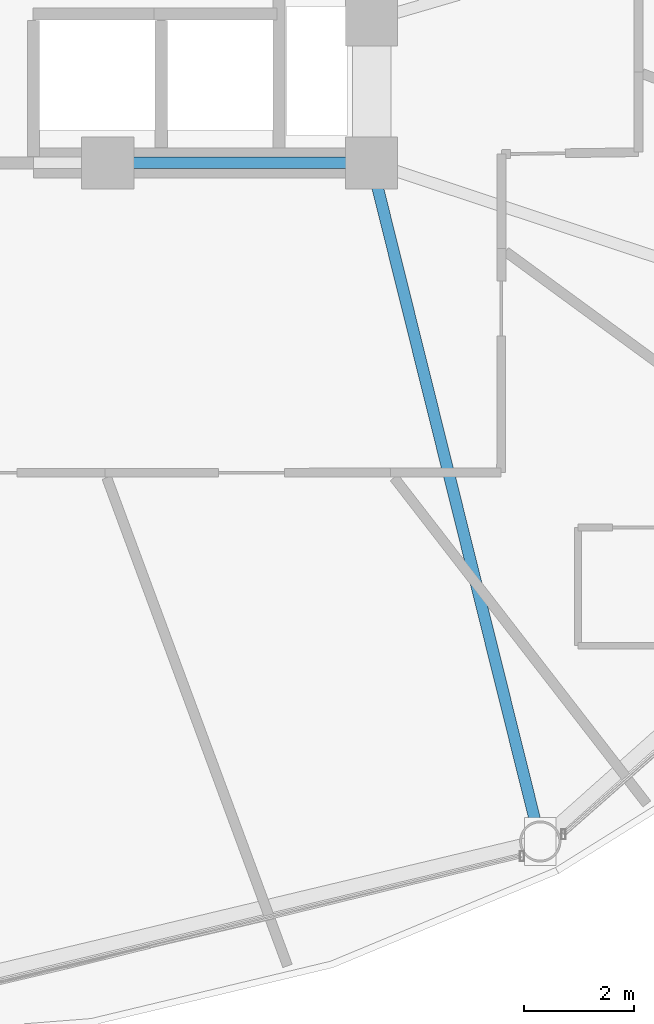
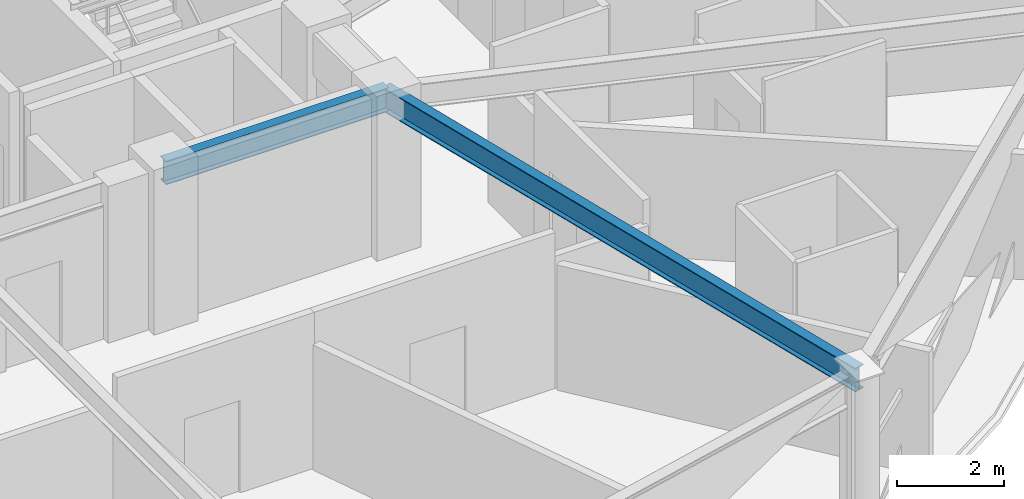
# One storey, part 10 of 31: 2 beams.
"""IFC4 building model written with IfcOpenShell, lengths in metres."""

from ifc_helpers import new_model, si_unit, direction, frame, origin, origin_2d, place, context, subcontext, project, spatial, i_section, extrude, material, material_profile, profile_set, type_object, element, save


model = new_model("IFC4")

# Units and contexts
model_context = context("Model", 3, precision=1e-05, world=origin(), true_north=direction((0.0, 1.0)))
body_context = subcontext(model_context, "Body", "Model", "MODEL_VIEW")
ifc_project = project(units=[si_unit("LENGTHUNIT", "METRE"), si_unit("AREAUNIT", "SQUARE_METRE"), si_unit("VOLUMEUNIT", "CUBIC_METRE"), si_unit("PLANEANGLEUNIT", "RADIAN"), si_unit("MASSUNIT", "GRAM", prefix="KILO")], contexts=[model_context])

# Site, building, storey
site_placement = place(None, origin())
site = spatial("IfcSite", under=ifc_project, at=site_placement, CompositionType="ELEMENT")
building_placement = place(site_placement, origin())
building = spatial("IfcBuilding", under=site, at=building_placement, Name="Vantalir Tower", CompositionType="ELEMENT")
storey_placement = place(building_placement, frame((0.0, 0.0, 123.449951171875)))
storey = spatial("IfcBuildingStorey", under=building, at=storey_placement, Name="L30", CompositionType="ELEMENT", Elevation=123.449951171875)

# Beams
ifc_material = material(Name="Steel S355", Category="steel")
ifc_material_profile = material_profile(ifc_material, i_section(OverallWidth=0.2109375, OverallDepth=0.5390625, WebThickness=0.01171875, FlangeThickness=0.018798828125, at=origin_2d()), Name="Steel S355")
ifc_profile_set = profile_set([ifc_material_profile], Name="Steel S355")
beam_type = type_object("IfcBeamType", Name="BM-RB-533x210", PredefinedType="BEAM", material=ifc_profile_set)
beam_1_placement = place(storey_placement, frame((36.300048828125, 17.800048828125, 3.300048828125), z_axis=(1.0, 0.0, 0.0), x_axis=(0.0, 1.0, 0.0)))
element("IfcBeam", 1, at=beam_1_placement, inside=storey, type_object=beam_type, Name="L30 Core Coupling Girder 04", PredefinedType="BEAM", context=body_context, shape_type="SweptSolid", body=[
    extrude(i_section(OverallWidth=0.2109375, OverallDepth=0.5390625, WebThickness=0.01171875, FlangeThickness=0.018798828125, at=origin_2d()), origin(), (0.0, 0.0, 1.0), 4.800048828125),
])
beam_2_placement = place(storey_placement, frame((44.169921875, 5.45703125, 3.300048828125), z_axis=(-0.241356653408, 0.970436482134, 0.0), x_axis=(-0.970436482134, -0.241356653408, 0.0)))
element("IfcBeam", 2, at=beam_2_placement, inside=storey, type_object=beam_type, Name="L30 Radial Floor Beam 11", PredefinedType="BEAM", context=body_context, shape_type="SweptSolid", body=[
    extrude(i_section(OverallWidth=0.2109375, OverallDepth=0.5390625, WebThickness=0.01171875, FlangeThickness=0.018798828125, at=origin_2d()), origin(), (0.0, 0.0, 1.0), 12.718994140625),
])

save(model, "model.ifc")
